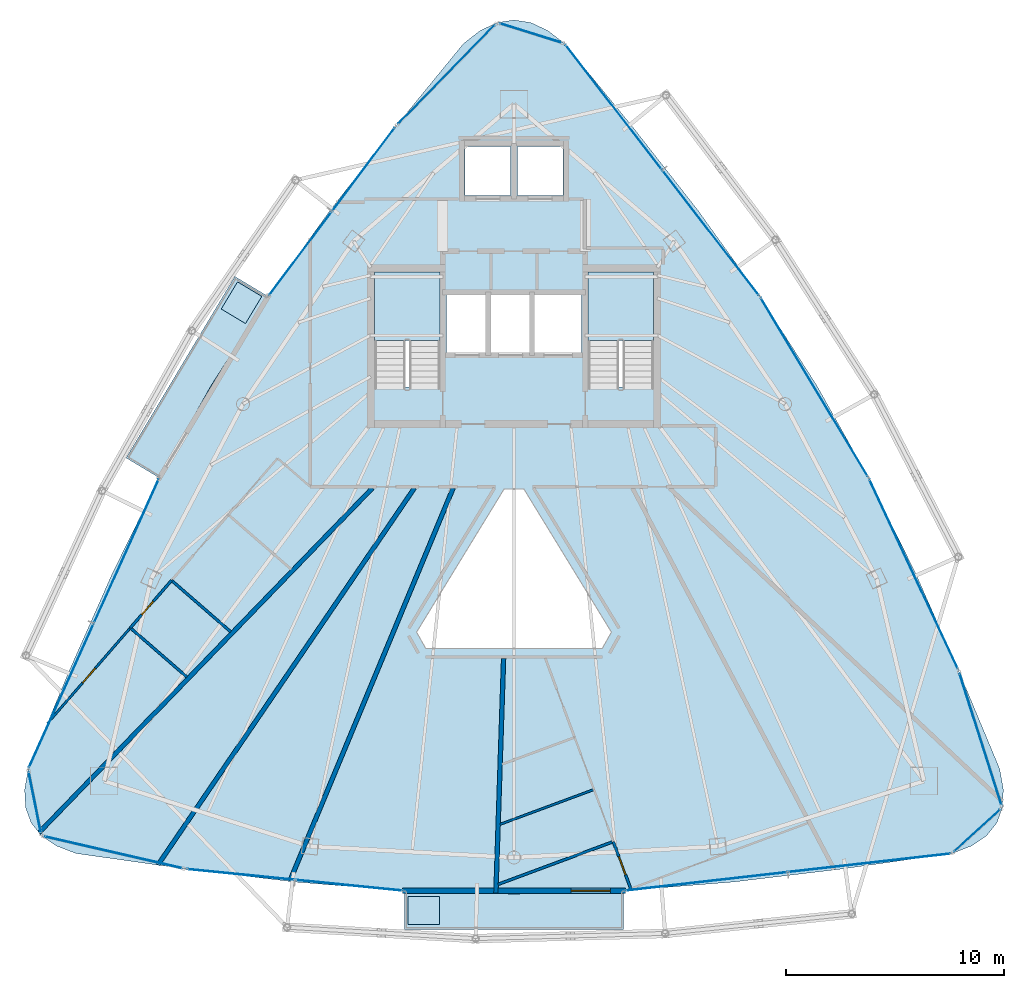
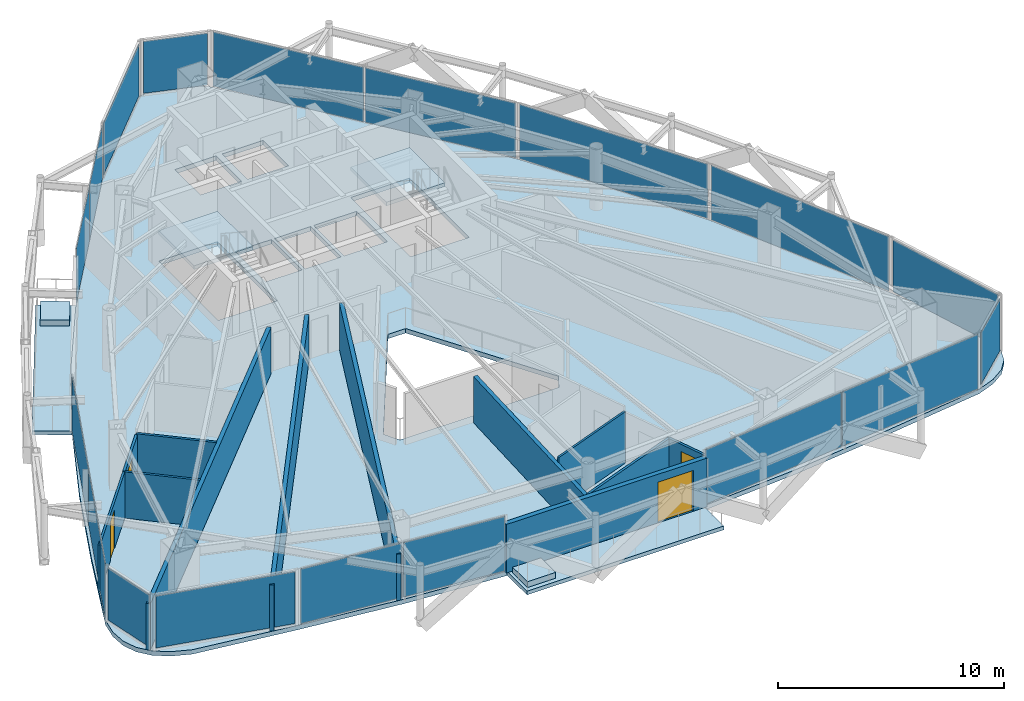
# One storey, part 26 of 30: 18 plates, 12 walls, 7 slabs, 4 doors, 4 openings, 15 elements without a shape of their own.
"""IFC4 building model written with IfcOpenShell, lengths in metres."""

from ifc_helpers import new_model, si_unit, direction, frame, frame_2d, origin, origin_2d, place, context, subcontext, project, spatial, polyline, rectangle, outline, extrude, material, layer, layer_set, type_object, element, fill, aggregate, save


model = new_model("IFC4")

# Units and contexts
model_context = context("Model", 3, precision=1e-05, world=origin(), true_north=direction((0.0, 1.0)))
body_context = subcontext(model_context, "Body", "Model", "MODEL_VIEW")
ifc_project = project(units=[si_unit("LENGTHUNIT", "METRE"), si_unit("AREAUNIT", "SQUARE_METRE"), si_unit("VOLUMEUNIT", "CUBIC_METRE"), si_unit("PLANEANGLEUNIT", "RADIAN"), si_unit("MASSUNIT", "GRAM", prefix="KILO")], contexts=[model_context])

# Site, building, storey
site_placement = place(None, origin())
site = spatial("IfcSite", under=ifc_project, at=site_placement, CompositionType="ELEMENT")
building_placement = place(site_placement, origin())
building = spatial("IfcBuilding", under=site, at=building_placement, Name="Orvanel Arch Residences", CompositionType="ELEMENT")
storey_placement = place(building_placement, frame((0.0, 0.0, 240.35009765625)))
storey = spatial("IfcBuildingStorey", under=building, at=storey_placement, Name="L68", CompositionType="ELEMENT", Elevation=240.35009765625)

# Curtain wall, plates
ifc_material_1 = material(Name="Bronze-anodised aluminium AA6063-T6", Category="aluminium")
ifc_layer_1 = layer(ifc_material_1, 0.175048828125)
ifc_layer_set_1 = layer_set([ifc_layer_1], Name="Bronze-anodised aluminium AA6063-T6")
curtain_wall_type_1 = type_object("IfcCurtainWallType", Name="CW4-HI-SYS", PredefinedType="NOTDEFINED", material=ifc_layer_set_1)
curtain_wall_1_placement = place(storey_placement, origin())
curtain_wall_1 = element("IfcCurtainWall", 1, at=curtain_wall_1_placement, inside=storey, type_object=curtain_wall_type_1, Name="L68 CW4-HI-SYS Unitised Curtain Wall", PredefinedType="NOTDEFINED")
ifc_material_2 = material(Name="Double-glazed solar-control low-E safety glass", Category="glass")
ifc_layer_2 = layer(ifc_material_2, 0.028076171875)
ifc_layer_set_2 = layer_set([ifc_layer_2], Name="Double-glazed solar-control low-E safety glass")
plate_type_1 = type_object("IfcPlateType", Name="PNL-GLZ-28", PredefinedType="CURTAIN_PANEL", material=ifc_layer_set_2)
plate_1_placement = place(storey_placement, frame((26.0966796875, 38.406494140625, 0.059814453125), z_axis=(0.0, 0.0, 1.0), x_axis=(-0.599901144567, -0.800074132032, 0.0)))
plate_1 = element("IfcPlate", 2, at=plate_1_placement, type_object=plate_type_1, Name="CW-S4 panel 1.1", PredefinedType="CURTAIN_PANEL", context=body_context, shape_type="SweptSolid", body=[
    extrude(rectangle(XDim=4.75830078125, YDim=0.028076171875, at=origin_2d()), origin(), (0.0, 0.0, 1.0), 2.93994140625),
])
plate_2_placement = place(storey_placement, frame((23.203369140625, 34.547607421875, 0.059814453125), z_axis=(0.0, 0.0, 1.0), x_axis=(-0.599901144567, -0.800074132032, 0.0)))
plate_2 = element("IfcPlate", 3, at=plate_2_placement, type_object=plate_type_1, Name="CW-S4 panel 2.1", PredefinedType="CURTAIN_PANEL", context=body_context, shape_type="SweptSolid", body=[
    extrude(rectangle(XDim=4.75830078125, YDim=0.028076171875, at=origin_2d()), origin(), (0.0, 0.0, 1.0), 2.93994140625),
])
aggregate(curtain_wall_1, [plate_1, plate_2])

curtain_wall_2_placement = place(storey_placement, origin())
curtain_wall_2 = element("IfcCurtainWall", 4, at=curtain_wall_2_placement, inside=storey, type_object=curtain_wall_type_1, Name="L68 CW4-HI-SYS Unitised Curtain Wall", PredefinedType="NOTDEFINED")
plate_3_placement = place(storey_placement, frame((15.220458984375, 20.89453125, 0.059814453125), z_axis=(0.0, 0.0, 1.0), x_axis=(-0.410572405987, -0.911827998826, 0.0)))
plate_3 = element("IfcPlate", 5, at=plate_3_placement, type_object=plate_type_1, Name="CW-S4 panel 1.1", PredefinedType="CURTAIN_PANEL", context=body_context, shape_type="SweptSolid", body=[
    extrude(rectangle(XDim=7.208251953125, YDim=0.028076171875, at=origin_2d()), origin(), (0.0, 0.0, 1.0), 2.93994140625),
])
plate_4_placement = place(storey_placement, frame((12.234375, 14.262451171875, 0.059814453125), z_axis=(0.0, 0.0, 1.0), x_axis=(-0.410572405987, -0.911827998826, 0.0)))
plate_4 = element("IfcPlate", 6, at=plate_4_placement, type_object=plate_type_1, Name="CW-S4 panel 2.1", PredefinedType="CURTAIN_PANEL", context=body_context, shape_type="SweptSolid", body=[
    extrude(rectangle(XDim=7.208251953125, YDim=0.028076171875, at=origin_2d()), origin(), (0.0, 0.0, 1.0), 2.93994140625),
])
aggregate(curtain_wall_2, [plate_3, plate_4])

curtain_wall_3_placement = place(storey_placement, origin())
curtain_wall_3 = element("IfcCurtainWall", 7, at=curtain_wall_3_placement, inside=storey, type_object=curtain_wall_type_1, Name="L68 CW4-HI-SYS Unitised Curtain Wall", PredefinedType="NOTDEFINED")
plate_5_placement = place(storey_placement, frame((20.470458984375, 6.065673828125, 0.059814453125), z_axis=(0.0, 0.0, 1.0), x_axis=(0.99505194986, -0.099356011792, 0.0)))
plate_5 = element("IfcPlate", 8, at=plate_5_placement, type_object=plate_type_1, Name="CW-S4 panel 1.1", PredefinedType="CURTAIN_PANEL", context=body_context, shape_type="SweptSolid", body=[
    extrude(rectangle(XDim=4.929931640625, YDim=0.028076171875, at=origin_2d()), origin(), (0.0, 0.0, 1.0), 2.93994140625),
])
plate_6_placement = place(storey_placement, frame((25.440673828125, 5.5693359375, 0.059814453125), z_axis=(0.0, 0.0, 1.0), x_axis=(0.99505194986, -0.099356011792, 0.0)))
plate_6 = element("IfcPlate", 9, at=plate_6_placement, type_object=plate_type_1, Name="CW-S4 panel 2.1", PredefinedType="CURTAIN_PANEL", context=body_context, shape_type="SweptSolid", body=[
    extrude(rectangle(XDim=4.929931640625, YDim=0.028076171875, at=origin_2d()), origin(), (0.0, 0.0, 1.0), 2.93994140625),
])
aggregate(curtain_wall_3, [plate_5, plate_6])

curtain_wall_4_placement = place(storey_placement, origin())
curtain_wall_4 = element("IfcCurtainWall", 10, at=curtain_wall_4_placement, inside=storey, type_object=curtain_wall_type_1, Name="L68 CW4-HI-SYS Unitised Curtain Wall", PredefinedType="NOTDEFINED")
plate_7_placement = place(storey_placement, frame((41.81494140625, 5.7470703125, 0.059814453125), z_axis=(0.0, 0.0, 1.0), x_axis=(0.993594966733, 0.113000186209, 0.0)))
plate_7 = element("IfcPlate", 11, at=plate_7_placement, type_object=plate_type_1, Name="CW-S4 panel 1.1", PredefinedType="CURTAIN_PANEL", context=body_context, shape_type="SweptSolid", body=[
    extrude(rectangle(XDim=7.46435546875, YDim=0.028076171875, at=origin_2d()), origin(), (0.0, 0.0, 1.0), 2.93994140625),
])
plate_8_placement = place(storey_placement, frame((49.296142578125, 6.597900390625, 0.059814453125), z_axis=(0.0, 0.0, 1.0), x_axis=(0.993594966733, 0.113000186209, 0.0)))
plate_8 = element("IfcPlate", 12, at=plate_8_placement, type_object=plate_type_1, Name="CW-S4 panel 2.1", PredefinedType="CURTAIN_PANEL", context=body_context, shape_type="SweptSolid", body=[
    extrude(rectangle(XDim=7.46435546875, YDim=0.028076171875, at=origin_2d()), origin(), (0.0, 0.0, 1.0), 2.93994140625),
])
aggregate(curtain_wall_4, [plate_7, plate_8])

# Curtain wall, plate
curtain_wall_5_placement = place(storey_placement, origin())
curtain_wall_5 = element("IfcCurtainWall", 13, at=curtain_wall_5_placement, inside=storey, type_object=curtain_wall_type_1, Name="L68 CW4-HI-SYS Unitised Curtain Wall", PredefinedType="NOTDEFINED")
plate_9_placement = place(storey_placement, frame((51.32958984375, 19.840576171875, 0.059814453125), z_axis=(0.0, 0.0, 1.0), x_axis=(-0.423460283576, 0.9059146694, 0.0)))
plate_9 = element("IfcPlate", 14, at=plate_9_placement, type_object=plate_type_1, Name="CW-S4 panel 1.1", PredefinedType="CURTAIN_PANEL", context=body_context, shape_type="SweptSolid", body=[
    extrude(rectangle(XDim=9.582763671875, YDim=0.028076171875, at=origin_2d()), origin(), (0.0, 0.0, 1.0), 2.93994140625),
])
aggregate(curtain_wall_5, [plate_9])

curtain_wall_6_placement = place(storey_placement, origin())
curtain_wall_6 = element("IfcCurtainWall", 15, at=curtain_wall_6_placement, inside=storey, type_object=curtain_wall_type_1, Name="L68 CW4-HI-SYS Unitised Curtain Wall", PredefinedType="NOTDEFINED")
plate_10_placement = place(storey_placement, frame((46.77001953125, 28.4169921875, 0.059814453125), z_axis=(0.0, 0.0, 1.0), x_axis=(-0.514465309766, 0.857511192375, 0.0)))
plate_10 = element("IfcPlate", 16, at=plate_10_placement, type_object=plate_type_1, Name="CW-S4 panel 1.1", PredefinedType="CURTAIN_PANEL", context=body_context, shape_type="SweptSolid", body=[
    extrude(rectangle(XDim=9.530517578125, YDim=0.028076171875, at=origin_2d()), origin(), (0.0, 0.0, 1.0), 2.93994140625),
])
aggregate(curtain_wall_6, [plate_10])

# Curtain wall, plates
curtain_wall_7_placement = place(storey_placement, origin())
curtain_wall_7 = element("IfcCurtainWall", 17, at=curtain_wall_7_placement, inside=storey, type_object=curtain_wall_type_1, Name="L68 CW4-HI-SYS Unitised Curtain Wall", PredefinedType="NOTDEFINED")
plate_11_placement = place(storey_placement, frame((42.0205078125, 35.495849609375, 0.059814453125), z_axis=(0.0, 0.0, 1.0), x_axis=(-0.611198135446, 0.791477630276, 0.0)))
plate_11 = element("IfcPlate", 18, at=plate_11_placement, type_object=plate_type_1, Name="CW-S4 panel 1.1", PredefinedType="CURTAIN_PANEL", context=body_context, shape_type="SweptSolid", body=[
    extrude(rectangle(XDim=7.207763671875, YDim=0.028076171875, at=origin_2d()), origin(), (0.0, 0.0, 1.0), 2.93994140625),
])
plate_12_placement = place(storey_placement, frame((37.575439453125, 41.252197265625, 0.059814453125), z_axis=(0.0, 0.0, 1.0), x_axis=(-0.611198135446, 0.791477630276, 0.0)))
plate_12 = element("IfcPlate", 19, at=plate_12_placement, type_object=plate_type_1, Name="CW-S4 panel 2.1", PredefinedType="CURTAIN_PANEL", context=body_context, shape_type="SweptSolid", body=[
    extrude(rectangle(XDim=7.207763671875, YDim=0.028076171875, at=origin_2d()), origin(), (0.0, 0.0, 1.0), 2.93994140625),
])
aggregate(curtain_wall_7, [plate_11, plate_12])

# Curtain wall, plate
ifc_layer_3 = layer(ifc_material_1, 0.18994140625)
ifc_layer_set_3 = layer_set([ifc_layer_3], Name="Bronze-anodised aluminium AA6063-T6")
curtain_wall_type_2 = type_object("IfcCurtainWallType", Name="CW5-CRN-SYS", PredefinedType="NOTDEFINED", material=ifc_layer_set_3)
curtain_wall_8_placement = place(storey_placement, origin())
curtain_wall_8 = element("IfcCurtainWall", 20, at=curtain_wall_8_placement, inside=storey, type_object=curtain_wall_type_2, Name="L68 CW5-CRN-SYS Unitised Curtain Wall", PredefinedType="NOTDEFINED")
ifc_layer_4 = layer(ifc_material_2, 0.031982421875)
ifc_layer_set_4 = layer_set([ifc_layer_4], Name="Double-glazed solar-control low-E safety glass")
plate_type_2 = type_object("IfcPlateType", Name="PNL-GLZ-32", PredefinedType="CURTAIN_PANEL", material=ifc_layer_set_4)
plate_13_placement = place(storey_placement, frame((33.7734375, 44.654052734375, 0.1298828125), z_axis=(0.0, 0.0, 1.0), x_axis=(-0.954774052968, 0.297332318759, 0.0)))
plate_13 = element("IfcPlate", 21, at=plate_13_placement, type_object=plate_type_2, Name="CW-S5 panel 1.1", PredefinedType="CURTAIN_PANEL", context=body_context, shape_type="SweptSolid", body=[
    extrude(rectangle(XDim=2.90185546875, YDim=0.031982421875, at=origin_2d()), origin(), (0.0, 0.0, 1.0), 2.800048828125),
])
aggregate(curtain_wall_8, [plate_13])

curtain_wall_9_placement = place(storey_placement, origin())
curtain_wall_9 = element("IfcCurtainWall", 22, at=curtain_wall_9_placement, inside=storey, type_object=curtain_wall_type_2, Name="L68 CW5-CRN-SYS Unitised Curtain Wall", PredefinedType="NOTDEFINED")
plate_14_placement = place(storey_placement, frame((29.900390625, 42.757080078125, 0.1298828125), z_axis=(0.0, 0.0, 1.0), x_axis=(-0.69897161419, -0.71514941275, 0.0)))
plate_14 = element("IfcPlate", 23, at=plate_14_placement, type_object=plate_type_2, Name="CW-S5 panel 1.1", PredefinedType="CURTAIN_PANEL", context=body_context, shape_type="SweptSolid", body=[
    extrude(rectangle(XDim=6.31396484375, YDim=0.031982421875, at=origin_2d()), origin(), (0.0, 0.0, 1.0), 2.800048828125),
])
aggregate(curtain_wall_9, [plate_14])

curtain_wall_10_placement = place(storey_placement, origin())
curtain_wall_10 = element("IfcCurtainWall", 24, at=curtain_wall_10_placement, inside=storey, type_object=curtain_wall_type_2, Name="L68 CW5-CRN-SYS Unitised Curtain Wall", PredefinedType="NOTDEFINED")
plate_15_placement = place(storey_placement, frame((11.02490234375, 9.367919921875, 0.1298828125), z_axis=(0.0, 0.0, 1.0), x_axis=(0.195367162167, -0.980730172854, 0.0)))
plate_15 = element("IfcPlate", 25, at=plate_15_placement, type_object=plate_type_2, Name="CW-S5 panel 1.1", PredefinedType="CURTAIN_PANEL", context=body_context, shape_type="SweptSolid", body=[
    extrude(rectangle(XDim=2.781494140625, YDim=0.031982421875, at=origin_2d()), origin(), (0.0, 0.0, 1.0), 2.800048828125),
])
aggregate(curtain_wall_10, [plate_15])

curtain_wall_11_placement = place(storey_placement, origin())
curtain_wall_11 = element("IfcCurtainWall", 26, at=curtain_wall_11_placement, inside=storey, type_object=curtain_wall_type_2, Name="L68 CW5-CRN-SYS Unitised Curtain Wall", PredefinedType="NOTDEFINED")
plate_16_placement = place(storey_placement, frame((14.631591796875, 7.077880859375, 0.1298828125), z_axis=(0.0, 0.0, 1.0), x_axis=(0.974553565223, -0.224154742337, 0.0)))
plate_16 = element("IfcPlate", 27, at=plate_16_placement, type_object=plate_type_2, Name="CW-S5 panel 1.1", PredefinedType="CURTAIN_PANEL", context=body_context, shape_type="SweptSolid", body=[
    extrude(rectangle(XDim=6.4365234375, YDim=0.031982421875, at=origin_2d()), origin(), (0.0, 0.0, 1.0), 2.800048828125),
])
aggregate(curtain_wall_11, [plate_16])

curtain_wall_12_placement = place(storey_placement, origin())
curtain_wall_12 = element("IfcCurtainWall", 28, at=curtain_wall_12_placement, inside=storey, type_object=curtain_wall_type_2, Name="L68 CW5-CRN-SYS Unitised Curtain Wall", PredefinedType="NOTDEFINED")
plate_17_placement = place(storey_placement, frame((54.244384765625, 8.077880859375, 0.1298828125), z_axis=(0.0, 0.0, 1.0), x_axis=(0.740204322001, 0.672382005775, 0.0)))
plate_17 = element("IfcPlate", 29, at=plate_17_placement, type_object=plate_type_2, Name="CW-S5 panel 1.1", PredefinedType="CURTAIN_PANEL", context=body_context, shape_type="SweptSolid", body=[
    extrude(rectangle(XDim=2.781494140625, YDim=0.031982421875, at=origin_2d()), origin(), (0.0, 0.0, 1.0), 2.800048828125),
])
aggregate(curtain_wall_12, [plate_17])

curtain_wall_13_placement = place(storey_placement, origin())
curtain_wall_13 = element("IfcCurtainWall", 30, at=curtain_wall_13_placement, inside=storey, type_object=curtain_wall_type_2, Name="L68 CW5-CRN-SYS Unitised Curtain Wall", PredefinedType="NOTDEFINED")
plate_18_placement = place(storey_placement, frame((54.39697265625, 12.27490234375, 0.1298828125), z_axis=(0.0, 0.0, 1.0), x_axis=(-0.303593263494, 0.952801726678, 0.0)))
plate_18 = element("IfcPlate", 31, at=plate_18_placement, type_object=plate_type_2, Name="CW-S5 panel 1.1", PredefinedType="CURTAIN_PANEL", context=body_context, shape_type="SweptSolid", body=[
    extrude(rectangle(XDim=6.26806640625, YDim=0.031982421875, at=origin_2d()), origin(), (0.0, 0.0, 1.0), 2.800048828125),
])
aggregate(curtain_wall_13, [plate_18])

# Slabs
ifc_material_3 = material(Name="Concrete N40 (40 MPa)", Category="concrete")
ifc_layer_5 = layer(ifc_material_3, 0.199951171875)
ifc_layer_set_5 = layer_set([ifc_layer_5], Name="Concrete N40 (40 MPa)")
slab_type_1 = type_object("IfcSlabType", Name="SLB-BAL-200", PredefinedType="FLOOR", material=ifc_layer_set_5)
slab_1_placement = place(storey_placement, frame((0.0, 0.0, -0.2001953125)))
element("IfcSlab", 32, at=slab_1_placement, inside=storey, type_object=slab_type_1, Name="L68 Cantilevered Balcony Slab Face 1", PredefinedType="FLOOR", context=body_context, shape_type="SweptSolid", body=[
    extrude(outline(polyline([(20.197998046875, 33.491943359375), (15.208984375, 25.173095703125), (16.735107421875, 24.258056640625), (19.10888671875, 28.489013671875), (21.72509765625, 32.575927734375), (20.197998046875, 33.491943359375)])), origin(), (0.0, 0.0, 1.0), 0.2001953125),
])
slab_2_placement = place(storey_placement, frame((0.0, 0.0, -0.2001953125)))
element("IfcSlab", 33, at=slab_2_placement, inside=storey, type_object=slab_type_1, Name="L68 Cantilevered Balcony Slab Face 2", PredefinedType="FLOOR", context=body_context, shape_type="SweptSolid", body=[
    extrude(outline(polyline([(27.97802734375, 3.535888671875), (38.02197265625, 3.535888671875), (38.02197265625, 5.31591796875), (33.0, 5.174072265625), (27.97802734375, 5.31591796875), (27.97802734375, 3.535888671875)])), origin(), (0.0, 0.0, 1.0), 0.2001953125),
])

# Stair, slab
ifc_material_4 = material(Name="Precast concrete N50 (50 MPa)", Category="concrete")
stair_type = type_object("IfcStairType", Name="STR-DOG-184", PredefinedType="USERDEFINED", material=ifc_material_4)
stair_1_placement = place(storey_placement, origin())
stair_1 = element("IfcStair", 34, at=stair_1_placement, inside=storey, type_object=stair_type, Name="L68 Fire-Isolated Core Exit Stair 1", ObjectType="TWO_RETURN_STAIR", PredefinedType="USERDEFINED")
ifc_layer_6 = layer(ifc_material_3, 0.199951171875)
ifc_layer_set_6 = layer_set([ifc_layer_6], Name="Concrete N40 (40 MPa)")
slab_type_2 = type_object("IfcSlabType", Name="SLB-LND-200", PredefinedType="LANDING", material=ifc_layer_set_6)
slab_3_placement = place(storey_placement, frame((0.0, 0.0, 1.449951171875)))
slab_3 = element("IfcSlab", 35, at=slab_3_placement, type_object=slab_type_2, Name="ST-1 landing 1", PredefinedType="LANDING", context=body_context, shape_type="SweptSolid", body=[
    extrude(outline(polyline([(29.60009765625, 30.56005859375), (29.60009765625, 33.699951171875), (26.60009765625, 33.699951171875), (26.60009765625, 30.56005859375), (29.60009765625, 30.56005859375)])), origin(), (0.0, 0.0, 1.0), 0.199951171875),
])
aggregate(stair_1, [slab_3])

stair_2_placement = place(storey_placement, origin())
stair_2 = element("IfcStair", 36, at=stair_2_placement, inside=storey, type_object=stair_type, Name="L68 Fire-Isolated Core Exit Stair 2", ObjectType="TWO_RETURN_STAIR", PredefinedType="USERDEFINED")
slab_4_placement = place(storey_placement, frame((0.0, 0.0, 1.449951171875)))
slab_4 = element("IfcSlab", 37, at=slab_4_placement, type_object=slab_type_2, Name="ST-2 landing 1", PredefinedType="LANDING", context=body_context, shape_type="SweptSolid", body=[
    extrude(outline(polyline([(39.39990234375, 30.56005859375), (39.39990234375, 33.699951171875), (36.39990234375, 33.699951171875), (36.39990234375, 30.56005859375), (39.39990234375, 30.56005859375)])), origin(), (0.0, 0.0, 1.0), 0.199951171875),
])
aggregate(stair_2, [slab_4])

# Slabs
ifc_material_5 = material(Name="Structural architectural precast concrete N40 (40 MPa) planter", Category="concrete")
ifc_layer_7 = layer(ifc_material_5, 0.320068359375)
ifc_layer_set_7 = layer_set([ifc_layer_7], Name="Structural architectural precast concrete N40 (40 MPa) planter")
slab_type_3 = type_object("IfcSlabType", Name="SLB-PLN-320", PredefinedType="USERDEFINED", material=ifc_layer_set_7)
slab_5_placement = place(storey_placement, origin())
element("IfcSlab", 38, at=slab_5_placement, inside=storey, type_object=slab_type_3, Name="L68 Balcony TREE PLANTER Face 1", ObjectType="PLANTER", PredefinedType="USERDEFINED", context=body_context, shape_type="SweptSolid", body=[
    extrude(outline(polyline([(20.318115234375, 33.2451171875), (19.572998046875, 32.0009765625), (20.68701171875, 31.3330078125), (21.43310546875, 32.575927734375), (20.318115234375, 33.2451171875)])), origin(), (0.0, 0.0, 1.0), 0.31982421875),
])
slab_6_placement = place(storey_placement, origin())
element("IfcSlab", 39, at=slab_6_placement, inside=storey, type_object=slab_type_3, Name="L68 Balcony TREE PLANTER Face 2", ObjectType="PLANTER", PredefinedType="USERDEFINED", context=body_context, shape_type="SweptSolid", body=[
    extrude(outline(polyline([(28.1279296875, 3.76611328125), (29.577880859375, 3.76611328125), (29.577880859375, 5.06591796875), (28.1279296875, 5.06591796875), (28.1279296875, 3.76611328125)])), origin(), (0.0, 0.0, 1.0), 0.31982421875),
])
ifc_layer_8 = layer(ifc_material_3, 0.239990234375)
ifc_layer_set_8 = layer_set([ifc_layer_8], Name="Concrete N40 (40 MPa)")
slab_type_4 = type_object("IfcSlabType", Name="SLB-TYP-240", PredefinedType="FLOOR", material=ifc_layer_set_8)
slab_7_placement = place(storey_placement, frame((0.0, 0.0, -0.239990234375)))
element("IfcSlab", 40, at=slab_7_placement, inside=storey, type_object=slab_type_4, Name="L68 Tower Floor Slab", PredefinedType="FLOOR", context=body_context, shape_type="SweptSolid", body=[
    extrude(outline(polyline([(35.321044921875, 44.172119140625), (34.547119140625, 44.77392578125), (33.77392578125, 45.135986328125), (33.0, 45.256103515625), (32.22607421875, 45.135986328125), (31.452880859375, 44.77392578125), (30.678955078125, 44.172119140625), (27.574951171875, 40.3779296875), (24.56396484375, 36.529052734375), (21.72509765625, 32.575927734375), (19.10888671875, 28.489013671875), (16.735107421875, 24.258056640625), (14.5849609375, 19.89208984375), (12.60595703125, 15.423095703125), (10.719970703125, 10.89892578125), (10.552978515625, 9.952880859375), (10.60009765625, 9.126953125), (10.85791015625, 8.422119140625), (11.330078125, 7.8369140625), (12.013916015625, 7.373046875), (12.910888671875, 7.029052734375), (17.93310546875, 6.319091796875), (22.9560546875, 5.718017578125), (27.97802734375, 5.31591796875), (33.0, 5.174072265625), (38.02197265625, 5.31591796875), (43.0439453125, 5.718017578125), (48.06689453125, 6.319091796875), (53.089111328125, 7.029052734375), (53.986083984375, 7.373046875), (54.669921875, 7.8369140625), (55.14208984375, 8.422119140625), (55.39990234375, 9.126953125), (55.447021484375, 9.952880859375), (55.280029296875, 10.89892578125), (53.39404296875, 15.423095703125), (51.4150390625, 19.89208984375), (49.264892578125, 24.258056640625), (46.89111328125, 28.489013671875), (44.27490234375, 32.575927734375), (41.43603515625, 36.529052734375), (38.425048828125, 40.3779296875), (35.321044921875, 44.172119140625)]), holes=[polyline([(26.60009765625, 28.429931640625), (26.60009765625, 33.699951171875), (29.60009765625, 33.699951171875), (29.60009765625, 28.429931640625), (26.60009765625, 28.429931640625)]), polyline([(36.39990234375, 28.429931640625), (36.39990234375, 33.699951171875), (39.39990234375, 33.699951171875), (39.39990234375, 28.429931640625), (36.39990234375, 28.429931640625)]), polyline([(29.89990234375, 32.64990234375), (31.75, 32.64990234375), (31.75, 29.949951171875), (29.89990234375, 29.949951171875), (29.89990234375, 32.64990234375)]), polyline([(31.89990234375, 32.64990234375), (33.75, 32.64990234375), (33.75, 29.949951171875), (31.89990234375, 29.949951171875), (31.89990234375, 32.64990234375)]), polyline([(33.89990234375, 32.64990234375), (36.10009765625, 32.64990234375), (36.10009765625, 29.949951171875), (33.89990234375, 29.949951171875), (33.89990234375, 32.64990234375)]), polyline([(30.75, 39.449951171875), (32.85009765625, 39.449951171875), (32.85009765625, 37.199951171875), (30.75, 37.199951171875), (30.75, 39.449951171875)]), polyline([(33.14990234375, 39.449951171875), (35.25, 39.449951171875), (35.25, 37.199951171875), (33.14990234375, 37.199951171875), (33.14990234375, 39.449951171875)]), polyline([(37.468017578125, 17.179931640625), (37.052001953125, 16.43896484375), (28.947998046875, 16.43896484375), (28.531982421875, 17.179931640625), (32.547119140625, 23.7470703125), (33.452880859375, 23.7470703125), (37.468017578125, 17.179931640625)])]), origin(), (0.0, 0.0, 1.0), 0.239990234375),
])

# Wall, opening, door
ifc_layer_9 = layer(ifc_material_4, 0.239990234375)
ifc_layer_set_9 = layer_set([ifc_layer_9], Name="Precast concrete N50 (50 MPa)")
wall_type_1 = type_object("IfcWallType", Name="EW-BAL-240", PredefinedType="SOLIDWALL", material=ifc_layer_set_9)
wall_1_placement = place(storey_placement, frame((27.8798828125, 5.31591796875, 0.0), z_axis=(0.0, 0.0, 1.0), x_axis=(1.0, 0.0, 0.0)))
wall_1 = element("IfcWall", 41, at=wall_1_placement, inside=storey, type_object=wall_type_1, Name="L68 Balcony Threshold Wall Face 2", PredefinedType="SOLIDWALL", context=body_context, shape_type="SweptSolid", body=[
    extrude(rectangle(XDim=10.240234375, YDim=0.239990234375, at=frame_2d((5.1201171875, 0.0))), origin(), (0.0, 0.0, 1.0), 2.6240234375),
])
opening_1_placement = place(wall_1_placement, frame((7.742919921875, 0.0, 0.0)))
opening_1 = element("IfcOpeningElement", 42, at=opening_1_placement, cuts=wall_1, Name="Opening DB-180", PredefinedType="OPENING", context=body_context, shape_type="SweptSolid", body=[
    extrude(rectangle(XDim=1.800048828125, YDim=2.199951171875, at=frame_2d((0.89990234375, 1.10009765625))), frame((0.0, 0.1298828125, 0.0), z_axis=(0.0, -1.0, 0.0), x_axis=(1.0, 0.0, 0.0)), (0.0, 0.0, 1.0), 0.260009765625),
])
door_type_1 = type_object("IfcDoorType", Name="DR-BAL-1800", OperationType="NOTDEFINED", PredefinedType="DOOR", material=ifc_material_1)
door_1_placement = place(opening_1_placement, origin())
door_1 = element("IfcDoor", 43, at=door_1_placement, inside=storey, type_object=door_type_1, Name="DR-L68-BAL-F2 L68 Planted Balcony Access Door Face 2", OperationType="SINGLE_SWING_RIGHT", OverallHeight=2.199951171875, OverallWidth=1.800048828125, PredefinedType="DOOR", context=body_context, shape_type="SweptSolid", body=[
    extrude(rectangle(XDim=1.800048828125, YDim=2.199951171875, at=frame_2d((0.89990234375, 1.10009765625))), frame((0.0, 0.02490234375, 0.0), z_axis=(0.0, -1.0, 0.0), x_axis=(1.0, 0.0, 0.0)), (0.0, 0.0, 1.0), 0.050048828125),
])
fill(opening_1, door_1)

# Walls
ifc_material_6 = material(Name="Fire-rated plasterboard lined steel stud partition", Category="steel")
ifc_layer_10 = layer(ifc_material_6, 0.199951171875)
ifc_layer_set_10 = layer_set([ifc_layer_10], Name="Fire-rated plasterboard lined steel stud partition")
wall_type_2 = type_object("IfcWallType", Name="W-DEM-200", PredefinedType="PARTITIONING", material=ifc_layer_set_10)
wall_2_placement = place(storey_placement, frame((32.1689453125, 5.212890625, 0.0), z_axis=(0.0, 0.0, 1.0), x_axis=(0.032863548895, 0.999459847695, 0.0)))
element("IfcWall", 44, at=wall_2_placement, inside=storey, type_object=wall_type_2, Name="L68 Inter-Tenancy Acoustic Demising Wall", PredefinedType="PARTITIONING", context=body_context, shape_type="SweptSolid", body=[
    extrude(rectangle(XDim=10.77197265625, YDim=0.199951171875, at=frame_2d((5.385986328125, 0.0))), origin(), (0.0, 0.0, 1.0), 2.491943359375),
])
wall_3_placement = place(storey_placement, frame((26.508056640625, 23.7900390625, 0.0), z_axis=(0.0, 0.0, 1.0), x_axis=(-0.695365551949, -0.71865621069, 0.0)))
element("IfcWall", 45, at=wall_3_placement, inside=storey, type_object=wall_type_2, Name="L68 Inter-Tenancy Acoustic Demising Wall", PredefinedType="PARTITIONING", context=body_context, shape_type="SweptSolid", body=[
    extrude(rectangle(XDim=21.9814453125, YDim=0.199951171875, at=frame_2d((10.99072265625, 0.0))), origin(), (0.0, 0.0, 1.0), 2.491943359375),
])
wall_4_placement = place(storey_placement, frame((22.717041015625, 5.760986328125, 0.0), z_axis=(0.0, 0.0, 1.0), x_axis=(0.383820587854, 0.923407686961, 0.0)))
element("IfcWall", 46, at=wall_4_placement, inside=storey, type_object=wall_type_2, Name="L68 Inter-Tenancy Acoustic Demising Wall", PredefinedType="PARTITIONING", context=body_context, shape_type="SweptSolid", body=[
    extrude(rectangle(XDim=19.5244140625, YDim=0.199951171875, at=frame_2d((9.76220703125, 0.0))), origin(), (0.0, 0.0, 1.0), 2.491943359375),
])
wall_5_placement = place(storey_placement, frame((16.674072265625, 6.510986328125, 0.0), z_axis=(0.0, 0.0, 1.0), x_axis=(0.562645442508, 0.82669831621, 0.0)))
element("IfcWall", 47, at=wall_5_placement, inside=storey, type_object=wall_type_2, Name="L68 Inter-Tenancy Acoustic Demising Wall", PredefinedType="PARTITIONING", context=body_context, shape_type="SweptSolid", body=[
    extrude(rectangle(XDim=20.9013671875, YDim=0.199951171875, at=frame_2d((10.45068359375, 0.0))), origin(), (0.0, 0.0, 1.0), 2.491943359375),
])
ifc_material_7 = material(Name="Acoustic plasterboard lined twin-stud partition", Category="gypsum")
ifc_layer_11 = layer(ifc_material_7, 0.10009765625)
ifc_layer_set_11 = layer_set([ifc_layer_11], Name="Acoustic plasterboard lined twin-stud partition")
wall_type_3 = type_object("IfcWallType", Name="W-INT-100", PredefinedType="PARTITIONING", material=ifc_layer_set_11)
wall_6_placement = place(storey_placement, frame((32.35791015625, 8.364013671875, 0.0), z_axis=(0.0, 0.0, 1.0), x_axis=(0.937636593966, 0.34761705605, 0.0)))
element("IfcWall", 48, at=wall_6_placement, inside=storey, type_object=wall_type_3, Name="L68 Studio B Internal Partition", PredefinedType="PARTITIONING", context=body_context, shape_type="SweptSolid", body=[
    extrude(rectangle(XDim=4.5966796875, YDim=0.10009765625, at=frame_2d((2.29833984375, 0.0))), origin(), (0.0, 0.0, 1.0), 2.77294921875),
])

# Wall, opening, door
wall_7_placement = place(storey_placement, frame((15.403076171875, 17.3759765625, 0.0), z_axis=(0.0, 0.0, 1.0), x_axis=(-0.655535791639, -0.755164105265, 0.0)))
wall_7 = element("IfcWall", 49, at=wall_7_placement, inside=storey, type_object=wall_type_3, Name="L68 Studio C Internal Partition", PredefinedType="PARTITIONING", context=body_context, shape_type="SweptSolid", body=[
    extrude(rectangle(XDim=5.802734375, YDim=0.10009765625, at=frame_2d((2.9013671875, 0.0))), origin(), (0.0, 0.0, 1.0), 2.491943359375),
])
opening_2_placement = place(wall_7_placement, frame((2.4609375, 0.0, 0.0)))
opening_2 = element("IfcOpeningElement", 50, at=opening_2_placement, cuts=wall_7, Name="Opening DI-088", PredefinedType="OPENING", context=body_context, shape_type="SweptSolid", body=[
    extrude(rectangle(XDim=0.8798828125, YDim=2.10009765625, at=frame_2d((0.43994140625, 1.050048828125))), frame((0.0, 0.06005859375, 0.0), z_axis=(0.0, -1.0, 0.0), x_axis=(1.0, 0.0, 0.0)), (0.0, 0.0, 1.0), 0.1201171875),
])
ifc_material_8 = material(Name="Solid-core European oak veneer fire door leaf", Category="wood")
door_type_2 = type_object("IfcDoorType", Name="DR-INT-880", OperationType="NOTDEFINED", PredefinedType="DOOR", material=ifc_material_8)
door_2_placement = place(opening_2_placement, origin())
door_2 = element("IfcDoor", 51, at=door_2_placement, inside=storey, type_object=door_type_2, Name="DR-L68-C-DIN1 L68 Studio C Dining Room 1 Door", OperationType="SINGLE_SWING_LEFT", OverallHeight=2.10009765625, OverallWidth=0.8798828125, PredefinedType="DOOR", context=body_context, shape_type="SweptSolid", body=[
    extrude(rectangle(XDim=0.8798828125, YDim=2.10009765625, at=frame_2d((0.43994140625, 1.050048828125))), frame((0.0, 0.02490234375, 0.0), z_axis=(0.0, -1.0, 0.0), x_axis=(1.0, 0.0, 0.0)), (0.0, 0.0, 1.0), 0.050048828125),
])
fill(opening_2, door_2)

ifc_layer_12 = layer(ifc_material_7, 0.1201171875)
ifc_layer_set_12 = layer_set([ifc_layer_12], Name="Acoustic plasterboard lined twin-stud partition")
wall_type_4 = type_object("IfcWallType", Name="W-WET-120", PredefinedType="PARTITIONING", material=ifc_layer_set_12)
wall_8_placement = place(storey_placement, frame((38.375, 5.35791015625, 0.0), z_axis=(0.0, 0.0, 1.0), x_axis=(-0.347822952978, 0.937560234535, 0.0)))
wall_8 = element("IfcWall", 52, at=wall_8_placement, inside=storey, type_object=wall_type_4, Name="L68 Studio B Internal Partition", PredefinedType="PARTITIONING", context=body_context, shape_type="SweptSolid", body=[
    extrude(rectangle(XDim=2.360595703125, YDim=0.1201171875, at=frame_2d((1.18017578125, 0.0))), origin(), (0.0, 0.0, 1.0), 2.491943359375),
])
opening_3_placement = place(wall_8_placement, frame((0.739990234375, 0.0, 0.0)))
opening_3 = element("IfcOpeningElement", 53, at=opening_3_placement, cuts=wall_8, Name="Opening DI-088", PredefinedType="OPENING", context=body_context, shape_type="SweptSolid", body=[
    extrude(rectangle(XDim=0.8798828125, YDim=2.10009765625, at=frame_2d((0.43994140625, 1.050048828125))), frame((0.0, 0.070068359375, 0.0), z_axis=(0.0, -1.0, 0.0), x_axis=(1.0, 0.0, 0.0)), (0.0, 0.0, 1.0), 0.14013671875),
])
door_3_placement = place(opening_3_placement, origin())
door_3 = element("IfcDoor", 54, at=door_3_placement, inside=storey, type_object=door_type_2, Name="DR-L68-B-KIT L68 Studio B Kitchenette Door", OperationType="SINGLE_SWING_LEFT", OverallHeight=2.10009765625, OverallWidth=0.8798828125, PredefinedType="DOOR", context=body_context, shape_type="SweptSolid", body=[
    extrude(rectangle(XDim=0.8798828125, YDim=2.10009765625, at=frame_2d((0.43994140625, 1.050048828125))), frame((0.0, 0.02490234375, 0.0), z_axis=(0.0, -1.0, 0.0), x_axis=(1.0, 0.0, 0.0)), (0.0, 0.0, 1.0), 0.050048828125),
])
fill(opening_3, door_3)

# Wall
wall_9_placement = place(storey_placement, frame((32.26708984375, 5.611083984375, 0.0), z_axis=(0.0, 0.0, 1.0), x_axis=(0.937641120959, 0.347604845027, 0.0)))
element("IfcWall", 55, at=wall_9_placement, inside=storey, type_object=wall_type_4, Name="L68 Studio B Internal Partition", PredefinedType="PARTITIONING", context=body_context, shape_type="SweptSolid", body=[
    extrude(rectangle(XDim=5.638427734375, YDim=0.1201171875, at=frame_2d((2.8193359375, 0.0))), origin(), (0.0, 0.0, 1.0), 2.491943359375),
])

# Wall, opening, door
wall_10_placement = place(storey_placement, frame((17.29296875, 19.552978515625, 0.0), z_axis=(0.0, 0.0, 1.0), x_axis=(-0.655555788219, -0.755146746357, 0.0)))
wall_10 = element("IfcWall", 56, at=wall_10_placement, inside=storey, type_object=wall_type_4, Name="L68 Studio C Bathroom Partition", PredefinedType="PARTITIONING", context=body_context, shape_type="SweptSolid", body=[
    extrude(rectangle(XDim=2.8828125, YDim=0.1201171875, at=frame_2d((1.44140625, 0.0))), origin(), (0.0, 0.0, 1.0), 2.491943359375),
])
opening_4_placement = place(wall_10_placement, frame((1.26904296875, 0.0, 0.0)))
opening_4 = element("IfcOpeningElement", 57, at=opening_4_placement, cuts=wall_10, Name="Opening DW-082", PredefinedType="OPENING", context=body_context, shape_type="SweptSolid", body=[
    extrude(rectangle(XDim=0.820068359375, YDim=2.10009765625, at=frame_2d((0.41015625, 1.050048828125))), frame((0.0, 0.070068359375, 0.0), z_axis=(0.0, -1.0, 0.0), x_axis=(1.0, 0.0, 0.0)), (0.0, 0.0, 1.0), 0.14013671875),
])
door_type_3 = type_object("IfcDoorType", Name="DR-WET-820", OperationType="NOTDEFINED", PredefinedType="DOOR", material=ifc_material_8)
door_4_placement = place(opening_4_placement, origin())
door_4 = element("IfcDoor", 58, at=door_4_placement, inside=storey, type_object=door_type_3, Name="DR-L68-C-BATH L68 Studio C Bathroom Door", OperationType="SINGLE_SWING_RIGHT", OverallHeight=2.10009765625, OverallWidth=0.820068359375, PredefinedType="DOOR", context=body_context, shape_type="SweptSolid", body=[
    extrude(rectangle(XDim=0.820068359375, YDim=2.10009765625, at=frame_2d((0.41015625, 1.050048828125))), frame((0.0, 0.02490234375, 0.0), z_axis=(0.0, -1.0, 0.0), x_axis=(1.0, 0.0, 0.0)), (0.0, 0.0, 1.0), 0.050048828125),
])
fill(opening_4, door_4)

# Walls
wall_11_placement = place(storey_placement, frame((17.29296875, 19.552978515625, 0.0), z_axis=(0.0, 0.0, 1.0), x_axis=(0.755140110276, -0.655563432364, 0.0)))
element("IfcWall", 59, at=wall_11_placement, inside=storey, type_object=wall_type_4, Name="L68 Studio C Bathroom Partition", PredefinedType="PARTITIONING", context=body_context, shape_type="SweptSolid", body=[
    extrude(rectangle(XDim=3.5966796875, YDim=0.1201171875, at=frame_2d((1.79833984375, 0.0))), origin(), (0.0, 0.0, 1.0), 2.56494140625),
])
wall_12_placement = place(storey_placement, frame((18.0009765625, 15.1201171875, 0.0), z_axis=(0.0, 0.0, 1.0), x_axis=(-0.755063624175, 0.655651525925, 0.0)))
element("IfcWall", 60, at=wall_12_placement, inside=storey, type_object=wall_type_4, Name="L68 Studio C Bathroom Partition", PredefinedType="PARTITIONING", context=body_context, shape_type="SweptSolid", body=[
    extrude(rectangle(XDim=3.440673828125, YDim=0.1201171875, at=frame_2d((1.72021484375, 0.0))), origin(), (0.0, 0.0, 1.0), 2.491943359375),
])

save(model, "model.ifc")
